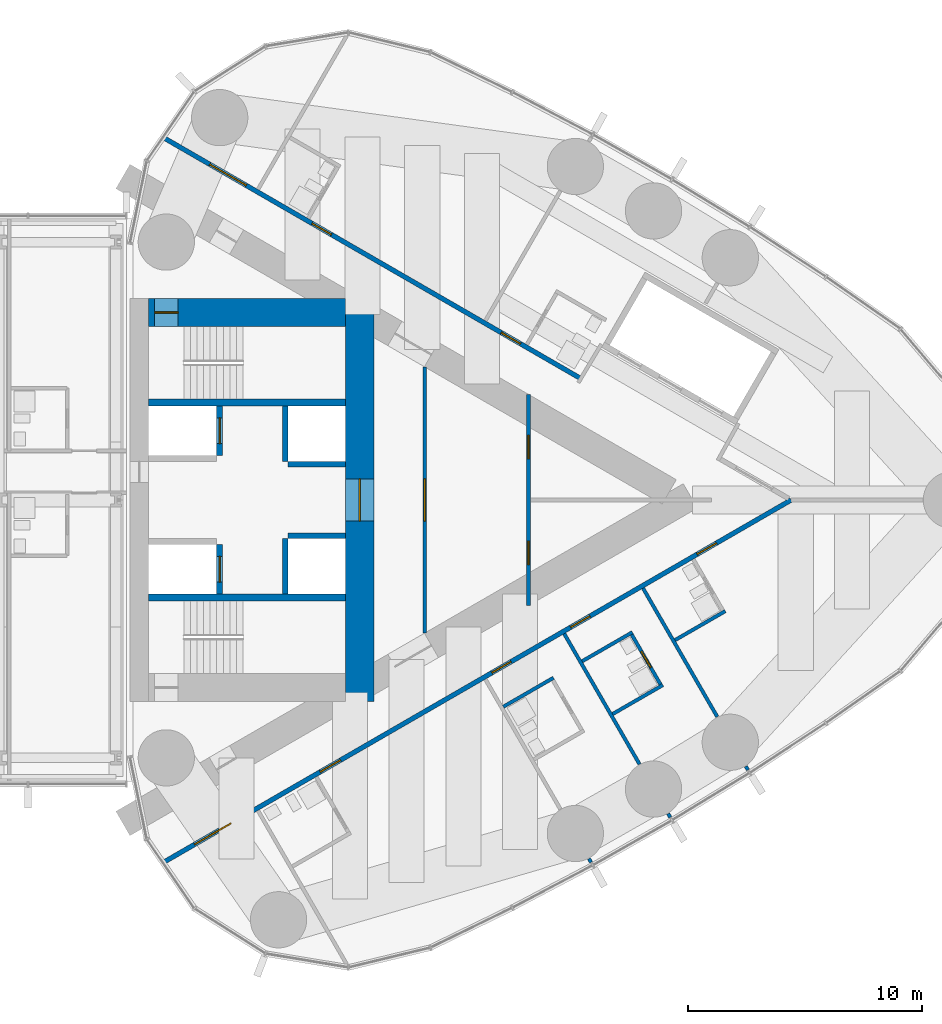
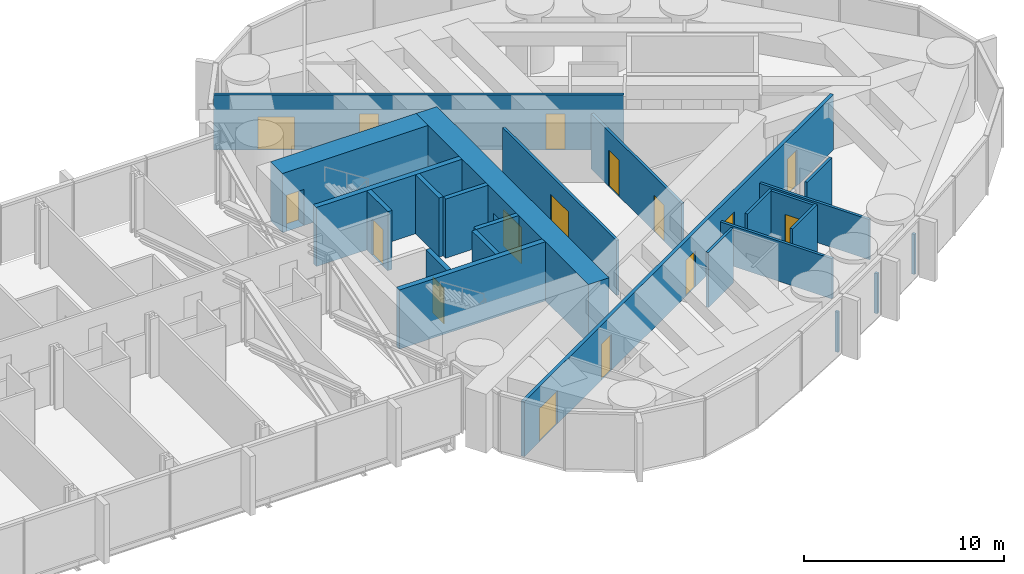
# One storey, part 19 of 23: 24 walls, 16 doors, 16 openings.
"""IFC4 building model written with IfcOpenShell, lengths in metres."""

import ifcopenshell
import ifcopenshell.guid

model = None  # the IFC model being written
_history = None  # IfcOwnerHistory: only IFC2X3 demands one
_inside = {}  # id of a spatial element -> (the spatial element, [elements in it])
_under = {}  # id of a project, library or spatial element -> (it, [spatial elements below it])
_declared = {}  # id of a project -> (the project, [libraries it declares])
_typed = {}  # id of a type object -> (the type object, [elements of that type])
_made_of = {}  # id of a material, layer set ... -> (it, [elements and type objects made of it])


def new_model(schema):
    """Start an empty IFC model of exactly this schema.

    Asked for "IFC4X3", IfcOpenShell would pick the latest addendum, in which some entities
    have other attributes; the version numbers below select the first issue.
    IFC2X3 requires an IfcOwnerHistory on every rooted entity: one is made here for all.
    """
    global model, _history
    if schema == "IFC4X3":
        model = ifcopenshell.file(schema_version=(4, 3, 0, 0))
    else:
        model = ifcopenshell.file(schema=schema)
    _inside.clear()
    _under.clear()
    _declared.clear()
    _typed.clear()
    _made_of.clear()
    _history = None
    if model.schema == "IFC2X3":
        org = make("IfcOrganization", Name="unknown")
        user = make(
            "IfcPersonAndOrganization",
            ThePerson=make("IfcPerson", FamilyName="unknown"),
            TheOrganization=org,
        )
        app = make(
            "IfcApplication",
            ApplicationDeveloper=org,
            Version="unknown",
            ApplicationFullName="unknown",
            ApplicationIdentifier="unknown",
        )
        _history = make(
            "IfcOwnerHistory",
            OwningUser=user,
            OwningApplication=app,
            ChangeAction="ADDED",
            CreationDate=0,
        )
    return model


def make(cls, **values):
    """One entity of the class cls with the attributes given. An attribute that is None is left unset."""
    return model.create_entity(
        cls, **{name: value for name, value in values.items() if value is not None}
    )


def rooted(cls, **values):
    """An entity with a GlobalId (a new one), such as an element, a storey or a relation."""
    return make(cls, GlobalId=ifcopenshell.guid.new(), OwnerHistory=_history, **values)


def si_unit(unit_type, name, prefix=None):
    """IfcSIUnit, for example si_unit("LENGTHUNIT", "METRE", prefix="MILLI")."""
    return make("IfcSIUnit", UnitType=unit_type, Prefix=prefix, Name=name)


def assignment(units):
    """IfcUnitAssignment: the units of a project."""
    return None if units is None else make("IfcUnitAssignment", Units=units)


def point(xyz):
    """IfcCartesianPoint."""
    return None if xyz is None else make("IfcCartesianPoint", Coordinates=xyz)


def direction(xyz):
    """IfcDirection."""
    return None if xyz is None else make("IfcDirection", DirectionRatios=xyz)


def frame(location, z_axis=None, x_axis=None):
    """IfcAxis2Placement3D, a coordinate frame: its origin and axes. An axis left out is left unset."""
    return make(
        "IfcAxis2Placement3D",
        Location=point(location),
        Axis=direction(z_axis),
        RefDirection=direction(x_axis),
    )


def frame_2d(location, x_axis=None):
    """IfcAxis2Placement2D, a coordinate frame in the plane: its origin and x axis."""
    return make(
        "IfcAxis2Placement2D", Location=point(location), RefDirection=direction(x_axis)
    )


def origin():
    """The frame at (0, 0, 0) with its axes left unset."""
    return frame((0.0, 0.0, 0.0))


def place(relative_to, where):
    """IfcLocalPlacement: puts the frame where relative to a parent placement (None: the world)."""
    return make(
        "IfcLocalPlacement", PlacementRelTo=relative_to, RelativePlacement=where
    )


def context(
    kind, dimensions, precision=None, world=None, true_north=None, identifier=None
):
    """IfcGeometricRepresentationContext, for example the 3D "Model" context."""
    return make(
        "IfcGeometricRepresentationContext",
        ContextIdentifier=identifier,
        ContextType=kind,
        CoordinateSpaceDimension=dimensions,
        Precision=precision,
        WorldCoordinateSystem=world,
        TrueNorth=true_north,
    )


def subcontext(parent, identifier, kind, view, scale=None):
    """IfcGeometricRepresentationSubContext, for example "Body" below "Model"."""
    return make(
        "IfcGeometricRepresentationSubContext",
        ContextIdentifier=identifier,
        ContextType=kind,
        ParentContext=parent,
        TargetScale=scale,
        TargetView=view,
    )


def project(units=None, contexts=None):
    """IfcProject with its units and contexts."""
    return rooted(
        "IfcProject",
        Name="project",
        RepresentationContexts=contexts,
        UnitsInContext=assignment(units),
    )


def spatial(cls, under=None, at=None, **own):
    """A site, building, storey or space (cls), placed at a placement, below another one or the project."""
    s = rooted(cls, ObjectPlacement=at, **own)
    if under is not None:
        _under.setdefault(under.id(), (under, []))[1].append(s)
    return s


def profile(cls, at=None, kind="AREA", **sizes):
    """A parametric profile (cls). Its sizes go by their IFC names, for example OverallWidth=200.0."""
    return make(cls, ProfileType=kind, Position=at, **sizes)


def rectangle(**sizes):
    """IfcRectangleProfileDef."""
    return profile("IfcRectangleProfileDef", **sizes)


def extrude(swept, where, along, depth):
    """IfcExtrudedAreaSolid: the profile swept, set in the frame where, extruded along a direction by depth."""
    return make(
        "IfcExtrudedAreaSolid",
        SweptArea=swept,
        Position=where,
        ExtrudedDirection=direction(along),
        Depth=depth,
    )


def shape(context_of_items, identifier, shape_type, items):
    """IfcShapeRepresentation: the items that make up one representation, for example the "Body"."""
    return make(
        "IfcShapeRepresentation",
        ContextOfItems=context_of_items,
        RepresentationIdentifier=identifier,
        RepresentationType=shape_type,
        Items=items,
    )


def material(Name=None, Category=None):
    """IfcMaterial."""
    return make("IfcMaterial", Name=Name, Category=Category)


def layer(
    of_material, thickness, ventilated=None, Name=None, Category=None, Priority=None
):
    """IfcMaterialLayer: one layer of a wall or slab, of a material (None: an air gap)."""
    return make(
        "IfcMaterialLayer",
        Material=of_material,
        LayerThickness=thickness,
        IsVentilated=ventilated,
        Name=Name,
        Category=Category,
        Priority=Priority,
    )


def layer_set(layers, Name=None):
    """IfcMaterialLayerSet."""
    return make("IfcMaterialLayerSet", MaterialLayers=layers, LayerSetName=Name)


def made_of(thing, what):
    """Note that an element or type object is made of a material, layer set ...; save() writes the relation."""
    if what is not None:
        _made_of.setdefault(what.id(), (what, []))[1].append(thing)
    return thing


def type_object(cls, material=None, **own):
    """A type object (cls), such as IfcWallType, which elements share."""
    return made_of(rooted(cls, **own), material)


def element(
    cls,
    number,
    at=None,
    inside=None,
    cuts=None,
    type_object=None,
    material=None,
    context=None,
    identifier="Body",
    shape_type=None,
    held_by="IfcProductDefinitionShape",
    body=None,
    shapes=None,
    **own,
):
    """One element of the class cls, such as IfcWall. Its Tag is "e" and its number.

    at: its placement. inside: the storey or other place that contains it. cuts: it is an
    opening in that element (IfcRelVoidsElement). A single representation is given by context,
    identifier, shape_type and body (its items); several are given by shapes. held_by: the class
    of the entity that holds the representations. save() writes the other relations.
    """
    e = rooted(cls, Tag="e%d" % number, ObjectPlacement=at, **own)
    if body is not None:
        shapes = [shape(context, identifier, shape_type, body)]
    if shapes is not None:
        e.Representation = make(held_by, Representations=shapes)
    if inside is not None:
        _inside.setdefault(inside.id(), (inside, []))[1].append(e)
    if cuts is not None:
        rooted(
            "IfcRelVoidsElement", RelatingBuildingElement=cuts, RelatedOpeningElement=e
        )
    if type_object is not None:
        _typed.setdefault(type_object.id(), (type_object, []))[1].append(e)
    return made_of(e, material)


def fill(opening, filler):
    """IfcRelFillsElement: the door or window that sits in an opening."""
    return rooted(
        "IfcRelFillsElement",
        RelatingOpeningElement=opening,
        RelatedBuildingElement=filler,
    )


def aggregate(whole, parts):
    """IfcRelAggregates: a whole, such as a stair, and the parts it consists of."""
    return rooted("IfcRelAggregates", RelatingObject=whole, RelatedObjects=parts)


def save(model, path):
    """Write the relations noted so far, then the file.

    IfcRelAggregates (storeys below a building ...), IfcRelContainedInSpatialStructure (elements
    in a storey), IfcRelDefinesByType, IfcRelAssociatesMaterial and IfcRelDeclares: one each for
    every whole, place, type object, material and project.
    """
    for whole, parts in _under.values():
        aggregate(whole, parts)
    for where, things in _inside.values():
        rooted(
            "IfcRelContainedInSpatialStructure",
            RelatedElements=things,
            RelatingStructure=where,
        )
    for kind, things in _typed.values():
        rooted("IfcRelDefinesByType", RelatedObjects=things, RelatingType=kind)
    for what, things in _made_of.values():
        rooted("IfcRelAssociatesMaterial", RelatedObjects=things, RelatingMaterial=what)
    for by, libraries in _declared.values():
        rooted("IfcRelDeclares", RelatingContext=by, RelatedDefinitions=libraries)
    model.write(path)


model = new_model("IFC4")

# Units and contexts
model_context = context("Model", 3, precision=1e-05, world=origin(), true_north=direction((0.0, 1.0)))
body_context = subcontext(model_context, "Body", "Model", "MODEL_VIEW")
ifc_project = project(units=[si_unit("LENGTHUNIT", "METRE"), si_unit("AREAUNIT", "SQUARE_METRE"), si_unit("VOLUMEUNIT", "CUBIC_METRE"), si_unit("PLANEANGLEUNIT", "RADIAN"), si_unit("MASSUNIT", "GRAM", prefix="KILO")], contexts=[model_context])

# Site, building, storey
site_placement = place(None, origin())
site = spatial("IfcSite", under=ifc_project, at=site_placement, CompositionType="ELEMENT")
building_placement = place(site_placement, origin())
building = spatial("IfcBuilding", under=site, at=building_placement, Name="Lancet Gate Hotel", CompositionType="ELEMENT")
storey_placement = place(building_placement, frame((0.0, 0.0, 222.5)))
storey = spatial("IfcBuildingStorey", under=building, at=storey_placement, Name="L59", CompositionType="ELEMENT", Elevation=222.5)

# Walls
ifc_material_1 = material(Name="Moisture resistant board partition")
ifc_layer_1 = layer(ifc_material_1, 0.14990234375)
ifc_layer_set_1 = layer_set([ifc_layer_1], Name="Bathroom wall 150")
wall_type_1 = type_object("IfcWallType", Name="Bathroom wall 150", PredefinedType="PARTITIONING", material=ifc_layer_set_1)
for number, where, z_axis, x_axis, name in (
    (1, (43.424560546875, -8.820556640625, 0.0), (0.0, 0.0, 1.0), (0.866006523861, 0.500032699561, 0.0), "T2 bathroom wall 150 L59"),
    (2, (48.087890625, -9.13037109375, 0.0), (0.0, 0.0, 1.0), (0.86604923931, 0.499958713387, 0.0), "T2 bathroom wall 150 L59"),
):
    element("IfcWall", number, at=place(storey_placement, frame(where, z_axis=z_axis, x_axis=x_axis)), inside=storey, type_object=wall_type_1, Name=name, PredefinedType="PARTITIONING", context=body_context, shape_type="SweptSolid", body=[
        extrude(rectangle(XDim=2.474853515625, YDim=0.14990234375, at=frame_2d((1.2373046875, 0.0))), origin(), (0.0, 0.0, 1.0), 3.35009765625),
    ])

# Wall, opening, door
wall_1_placement = place(storey_placement, frame((48.8662109375, -5.6787109375, 0.0), z_axis=(0.0, 0.0, 1.0), x_axis=(0.500006934395, -0.866021400173, 0.0)))
wall_1 = element("IfcWall", 3, at=wall_1_placement, inside=storey, type_object=wall_type_1, Name="T2 bathroom wall 150 L59", PredefinedType="PARTITIONING", context=body_context, shape_type="SweptSolid", body=[
    extrude(rectangle(XDim=2.60009765625, YDim=0.14990234375, at=frame_2d((1.300048828125, 0.0))), origin(), (0.0, 0.0, 1.0), 3.35009765625),
])
opening_1_placement = place(wall_1_placement, frame((0.89990234375, 0.0, 0.0)))
opening_1 = element("IfcOpeningElement", 4, at=opening_1_placement, cuts=wall_1, Name="Opening 5954-B", PredefinedType="OPENING", context=body_context, shape_type="SweptSolid", body=[
    extrude(rectangle(XDim=0.800048828125, YDim=2.199951171875, at=frame_2d((0.39990234375, 1.10009765625))), frame((0.0, 0.0849609375, 0.0), z_axis=(0.0, -1.0, 0.0), x_axis=(1.0, 0.0, 0.0)), (0.0, 0.0, 1.0), 0.169921875),
])
ifc_material_2 = material(Name="Timber door set", Category="wood")
door_type_1 = type_object("IfcDoorType", Name="Bathroom door 800", OperationType="SINGLE_SWING_RIGHT", PredefinedType="DOOR", material=ifc_material_2)
door_1_placement = place(opening_1_placement, origin())
door_1 = element("IfcDoor", 5, at=door_1_placement, inside=storey, type_object=door_type_1, Name="5954-B", OperationType="SINGLE_SWING_RIGHT", OverallHeight=2.199951171875, OverallWidth=0.800048828125, PredefinedType="DOOR", context=body_context, shape_type="SweptSolid", body=[
    extrude(rectangle(XDim=0.800048828125, YDim=2.199951171875, at=frame_2d((0.39990234375, 1.10009765625))), frame((0.0, 0.02490234375, 0.0), z_axis=(0.0, -1.0, 0.0), x_axis=(1.0, 0.0, 0.0)), (0.0, 0.0, 1.0), 0.050048828125),
])
fill(opening_1, door_1)

# Walls
wall_2_placement = place(storey_placement, frame((46.787841796875, -6.87890625, 0.0), z_axis=(0.0, 0.0, 1.0), x_axis=(0.866006523861, 0.500032699561, 0.0)))
element("IfcWall", 6, at=wall_2_placement, inside=storey, type_object=wall_type_1, Name="T2 bathroom wall 150 L59", PredefinedType="PARTITIONING", context=body_context, shape_type="SweptSolid", body=[
    extrude(rectangle(XDim=2.474853515625, YDim=0.14990234375, at=frame_2d((1.2373046875, 0.0))), origin(), (0.0, 0.0, 1.0), 3.35009765625),
])
wall_3_placement = place(storey_placement, frame((50.75, -5.976806640625, 0.0), z_axis=(0.0, 0.0, 1.0), x_axis=(0.866031185235, 0.4999899861, 0.0)))
element("IfcWall", 7, at=wall_3_placement, inside=storey, type_object=wall_type_1, Name="T2 bathroom wall 150 L59", PredefinedType="PARTITIONING", context=body_context, shape_type="SweptSolid", body=[
    extrude(rectangle(XDim=2.47509765625, YDim=0.14990234375, at=frame_2d((1.237548828125, 0.0))), origin(), (0.0, 0.0, 1.0), 3.35009765625),
])

# Wall, opening, door
ifc_material_3 = material(Name="Concrete C70/85", Category="concrete")
ifc_layer_2 = layer(ifc_material_3, 1.199951171875)
ifc_layer_set_2 = layer_set([ifc_layer_2], Name="Core wall 1200")
wall_type_2 = type_object("IfcWallType", Name="Core wall 1200", PredefinedType="SHEAR", material=ifc_layer_set_2)
wall_4_placement = place(storey_placement, frame((37.300048828125, -8.60009765625, 0.0), z_axis=(0.0, 0.0, 1.0), x_axis=(0.0, 1.0, 0.0)))
wall_4 = element("IfcWall", 8, at=wall_4_placement, inside=storey, type_object=wall_type_2, Name="T2 core wall back L59", PredefinedType="SHEAR", context=body_context, shape_type="SweptSolid", body=[
    extrude(rectangle(XDim=17.2001953125, YDim=1.199951171875, at=frame_2d((8.60009765625, 0.0))), origin(), (0.0, 0.0, 1.0), 3.60009765625),
])
opening_2_placement = place(wall_4_placement, frame((7.699951171875, 0.0, 0.0)))
opening_2 = element("IfcOpeningElement", 9, at=opening_2_placement, cuts=wall_4, Name="Opening T2-L59-LL", PredefinedType="OPENING", context=body_context, shape_type="SweptSolid", body=[
    extrude(rectangle(XDim=1.800048828125, YDim=2.199951171875, at=frame_2d((0.89990234375, 1.10009765625))), frame((0.0, 0.60986328125, 0.0), z_axis=(0.0, -1.0, 0.0), x_axis=(1.0, 0.0, 0.0)), (0.0, 0.0, 1.0), 1.219970703125),
])
ifc_material_4 = material(Name="Timber door set", Category="wood")
door_type_2 = type_object("IfcDoorType", Name="Lobby double door 1800", OperationType="DOUBLE_DOOR_SINGLE_SWING", PredefinedType="DOOR", material=ifc_material_4)
door_2_placement = place(opening_2_placement, origin())
door_2 = element("IfcDoor", 10, at=door_2_placement, inside=storey, type_object=door_type_2, Name="T2-L59-LL", OperationType="DOUBLE_DOOR_SINGLE_SWING", OverallHeight=2.199951171875, OverallWidth=1.800048828125, PredefinedType="DOOR", context=body_context, shape_type="SweptSolid", body=[
    extrude(rectangle(XDim=1.800048828125, YDim=2.199951171875, at=frame_2d((0.89990234375, 1.10009765625))), frame((0.0, 0.02490234375, 0.0), z_axis=(0.0, -1.0, 0.0), x_axis=(1.0, 0.0, 0.0)), (0.0, 0.0, 1.0), 0.050048828125),
])
fill(opening_2, door_2)

wall_5_placement = place(storey_placement, frame((28.300048828125, 8.0, 0.0), z_axis=(0.0, 0.0, 1.0), x_axis=(1.0, 0.0, 0.0)))
wall_5 = element("IfcWall", 11, at=wall_5_placement, inside=storey, type_object=wall_type_2, Name="T2 core wall side-N L59", PredefinedType="SHEAR", context=body_context, shape_type="SweptSolid", body=[
    extrude(rectangle(XDim=8.39990234375, YDim=1.199951171875, at=frame_2d((4.199951171875, 0.0))), origin(), (0.0, 0.0, 1.0), 3.60009765625),
])
opening_3_placement = place(wall_5_placement, frame((0.25, 0.0, 0.0)))
opening_3 = element("IfcOpeningElement", 12, at=opening_3_placement, cuts=wall_5, Name="Opening T2-L59-ST2", PredefinedType="OPENING", context=body_context, shape_type="SweptSolid", body=[
    extrude(rectangle(XDim=1.0, YDim=2.199951171875, at=frame_2d((0.5, 1.10009765625))), frame((0.0, 0.60986328125, 0.0), z_axis=(0.0, -1.0, 0.0), x_axis=(1.0, 0.0, 0.0)), (0.0, 0.0, 1.0), 1.219970703125),
])
ifc_material_5 = material(Name="Timber door set", Category="wood")
door_type_3 = type_object("IfcDoorType", Name="Stair door 1000", OperationType="SINGLE_SWING_RIGHT", PredefinedType="DOOR", material=ifc_material_5)
door_3_placement = place(opening_3_placement, origin())
door_3 = element("IfcDoor", 13, at=door_3_placement, inside=storey, type_object=door_type_3, Name="T2-L59-ST2", OperationType="SINGLE_SWING_RIGHT", OverallHeight=2.199951171875, OverallWidth=1.0, PredefinedType="DOOR", context=body_context, shape_type="SweptSolid", body=[
    extrude(rectangle(XDim=1.0, YDim=2.199951171875, at=frame_2d((0.5, 1.10009765625))), frame((0.0, 0.02490234375, 0.0), z_axis=(0.0, -1.0, 0.0), x_axis=(1.0, 0.0, 0.0)), (0.0, 0.0, 1.0), 0.050048828125),
])
fill(opening_3, door_3)

# Wall, openings, doors
ifc_material_6 = material(Name="Gypsum board partition")
ifc_layer_3 = layer(ifc_material_6, 0.199951171875)
ifc_layer_set_3 = layer_set([ifc_layer_3], Name="Corridor wall 200")
wall_type_3 = type_object("IfcWallType", Name="Corridor wall 200", PredefinedType="PARTITIONING", material=ifc_layer_set_3)
wall_6_placement = place(storey_placement, frame((28.958984375, -15.440185546875, 0.0), z_axis=(0.0, 0.0, 1.0), x_axis=(0.866025227435, 0.500000305447, 0.0)))
wall_6 = element("IfcWall", 14, at=wall_6_placement, inside=storey, type_object=wall_type_3, Name="T2 corridor wall 200 L59", PredefinedType="PARTITIONING", context=body_context, shape_type="SweptSolid", body=[
    extrude(rectangle(XDim=30.88037109375, YDim=0.199951171875, at=frame_2d((15.440185546875, 0.0))), origin(), (0.0, 0.0, 1.0), 3.35009765625),
])
opening_4_placement = place(wall_6_placement, frame((1.49365234375, 0.0, 0.0)))
opening_4 = element("IfcOpeningElement", 15, at=opening_4_placement, cuts=wall_6, Name="Opening 5951-E", PredefinedType="OPENING", context=body_context, shape_type="SweptSolid", body=[
    extrude(rectangle(XDim=1.800048828125, YDim=2.030029296875, at=frame_2d((0.89990234375, 1.01513671875))), frame((0.0, 0.10986328125, 0.0), z_axis=(0.0, -1.0, 0.0), x_axis=(1.0, 0.0, 0.0)), (0.0, 0.0, 1.0), 0.219970703125),
])
opening_5_placement = place(wall_6_placement, frame((7.687255859375, 0.0, 0.0)))
opening_5 = element("IfcOpeningElement", 16, at=opening_5_placement, cuts=wall_6, Name="Opening 5952-E", PredefinedType="OPENING", context=body_context, shape_type="SweptSolid", body=[
    extrude(rectangle(XDim=1.0, YDim=2.199951171875, at=frame_2d((0.5, 1.10009765625))), frame((0.0, 0.10986328125, 0.0), z_axis=(0.0, -1.0, 0.0), x_axis=(1.0, 0.0, 0.0)), (0.0, 0.0, 1.0), 0.219970703125),
])
opening_6_placement = place(wall_6_placement, frame((16.13720703125, 0.0, 0.0)))
opening_6 = element("IfcOpeningElement", 17, at=opening_6_placement, cuts=wall_6, Name="Opening 5953-E", PredefinedType="OPENING", context=body_context, shape_type="SweptSolid", body=[
    extrude(rectangle(XDim=0.949951171875, YDim=2.199951171875, at=frame_2d((0.47509765625, 1.10009765625))), frame((0.0, 0.10986328125, 0.0), z_axis=(0.0, -1.0, 0.0), x_axis=(1.0, 0.0, 0.0)), (0.0, 0.0, 1.0), 0.219970703125),
])
opening_7_placement = place(wall_6_placement, frame((20.020751953125, 0.0, 0.0)))
opening_7 = element("IfcOpeningElement", 18, at=opening_7_placement, cuts=wall_6, Name="Opening 5954-E", PredefinedType="OPENING", context=body_context, shape_type="SweptSolid", body=[
    extrude(rectangle(XDim=0.949951171875, YDim=2.199951171875, at=frame_2d((0.47509765625, 1.10009765625))), frame((0.0, 0.10986328125, 0.0), z_axis=(0.0, -1.0, 0.0), x_axis=(1.0, 0.0, 0.0)), (0.0, 0.0, 1.0), 0.219970703125),
])
opening_8_placement = place(wall_6_placement, frame((26.25341796875, 0.0, 0.0)))
opening_8 = element("IfcOpeningElement", 19, at=opening_8_placement, cuts=wall_6, Name="Opening 5955-E", PredefinedType="OPENING", context=body_context, shape_type="SweptSolid", body=[
    extrude(rectangle(XDim=0.949951171875, YDim=2.199951171875, at=frame_2d((0.47509765625, 1.10009765625))), frame((0.0, 0.10986328125, 0.0), z_axis=(0.0, -1.0, 0.0), x_axis=(1.0, 0.0, 0.0)), (0.0, 0.0, 1.0), 0.219970703125),
])
ifc_material_7 = material(Name="Timber door set", Category="wood")
door_type_4 = type_object("IfcDoorType", Name="Accessible guest room door 1000", OperationType="SINGLE_SWING_LEFT", PredefinedType="DOOR", material=ifc_material_7)
door_4_placement = place(opening_5_placement, origin())
door_4 = element("IfcDoor", 20, at=door_4_placement, inside=storey, type_object=door_type_4, Name="5952-E", OperationType="SINGLE_SWING_LEFT", OverallHeight=2.199951171875, OverallWidth=1.0, PredefinedType="DOOR", context=body_context, shape_type="SweptSolid", body=[
    extrude(rectangle(XDim=1.0, YDim=2.199951171875, at=frame_2d((0.5, 1.10009765625))), frame((0.0, 0.02490234375, 0.0), z_axis=(0.0, -1.0, 0.0), x_axis=(1.0, 0.0, 0.0)), (0.0, 0.0, 1.0), 0.050048828125),
])
fill(opening_5, door_4)
ifc_material_8 = material(Name="Timber door set", Category="wood")
door_type_5 = type_object("IfcDoorType", Name="Double door 1800, 2030 high", OperationType="DOUBLE_DOOR_SINGLE_SWING", PredefinedType="DOOR", material=ifc_material_8)
door_5_placement = place(opening_4_placement, origin())
door_5 = element("IfcDoor", 21, at=door_5_placement, inside=storey, type_object=door_type_5, Name="5951-E", OperationType="DOUBLE_DOOR_SINGLE_SWING", OverallHeight=2.030029296875, OverallWidth=1.800048828125, PredefinedType="DOOR", context=body_context, shape_type="SweptSolid", body=[
    extrude(rectangle(XDim=1.800048828125, YDim=2.030029296875, at=frame_2d((0.89990234375, 1.01513671875))), frame((0.0, 0.02490234375, 0.0), z_axis=(0.0, -1.0, 0.0), x_axis=(1.0, 0.0, 0.0)), (0.0, 0.0, 1.0), 0.050048828125),
])
fill(opening_4, door_5)
ifc_material_9 = material(Name="Timber door set", Category="wood")
door_type_6 = type_object("IfcDoorType", Name="Guest room entry door 950", OperationType="SINGLE_SWING_LEFT", PredefinedType="DOOR", material=ifc_material_9)
door_6_placement = place(opening_6_placement, origin())
door_6 = element("IfcDoor", 22, at=door_6_placement, inside=storey, type_object=door_type_6, Name="5953-E", OperationType="SINGLE_SWING_LEFT", OverallHeight=2.199951171875, OverallWidth=0.949951171875, PredefinedType="DOOR", context=body_context, shape_type="SweptSolid", body=[
    extrude(rectangle(XDim=0.949951171875, YDim=2.199951171875, at=frame_2d((0.47509765625, 1.10009765625))), frame((0.0, 0.02490234375, 0.0), z_axis=(0.0, -1.0, 0.0), x_axis=(1.0, 0.0, 0.0)), (0.0, 0.0, 1.0), 0.050048828125),
])
fill(opening_6, door_6)
door_7_placement = place(opening_7_placement, origin())
door_7 = element("IfcDoor", 23, at=door_7_placement, inside=storey, type_object=door_type_6, Name="5954-E", OperationType="SINGLE_SWING_LEFT", OverallHeight=2.199951171875, OverallWidth=0.949951171875, PredefinedType="DOOR", context=body_context, shape_type="SweptSolid", body=[
    extrude(rectangle(XDim=0.949951171875, YDim=2.199951171875, at=frame_2d((0.47509765625, 1.10009765625))), frame((0.0, 0.02490234375, 0.0), z_axis=(0.0, -1.0, 0.0), x_axis=(1.0, 0.0, 0.0)), (0.0, 0.0, 1.0), 0.050048828125),
])
fill(opening_7, door_7)
door_8_placement = place(opening_8_placement, origin())
door_8 = element("IfcDoor", 24, at=door_8_placement, inside=storey, type_object=door_type_6, Name="5955-E", OperationType="SINGLE_SWING_LEFT", OverallHeight=2.199951171875, OverallWidth=0.949951171875, PredefinedType="DOOR", context=body_context, shape_type="SweptSolid", body=[
    extrude(rectangle(XDim=0.949951171875, YDim=2.199951171875, at=frame_2d((0.47509765625, 1.10009765625))), frame((0.0, 0.02490234375, 0.0), z_axis=(0.0, -1.0, 0.0), x_axis=(1.0, 0.0, 0.0)), (0.0, 0.0, 1.0), 0.050048828125),
])
fill(opening_8, door_8)

wall_7_placement = place(storey_placement, frame((28.958984375, 15.440185546875, 0.0), z_axis=(0.0, 0.0, 1.0), x_axis=(0.866028936079, -0.499993881836, 0.0)))
wall_7 = element("IfcWall", 25, at=wall_7_placement, inside=storey, type_object=wall_type_3, Name="T2 corridor wall 200 L59", PredefinedType="PARTITIONING", context=body_context, shape_type="SweptSolid", body=[
    extrude(rectangle(XDim=20.503173828125, YDim=0.199951171875, at=frame_2d((10.25146484375, 0.0))), origin(), (0.0, 0.0, 1.0), 3.35009765625),
])
opening_9_placement = place(wall_7_placement, frame((16.60302734375, 0.0, 0.0)))
opening_9 = element("IfcOpeningElement", 26, at=opening_9_placement, cuts=wall_7, Name="Opening 5958-E", PredefinedType="OPENING", context=body_context, shape_type="SweptSolid", body=[
    extrude(rectangle(XDim=0.949951171875, YDim=2.199951171875, at=frame_2d((0.47509765625, 1.10009765625))), frame((0.0, 0.10986328125, 0.0), z_axis=(0.0, -1.0, 0.0), x_axis=(1.0, 0.0, 0.0)), (0.0, 0.0, 1.0), 0.219970703125),
])
opening_10_placement = place(wall_7_placement, frame((7.287109375, 0.0, 0.0)))
opening_10 = element("IfcOpeningElement", 27, at=opening_10_placement, cuts=wall_7, Name="Opening 5959-E", PredefinedType="OPENING", context=body_context, shape_type="SweptSolid", body=[
    extrude(rectangle(XDim=0.949951171875, YDim=2.199951171875, at=frame_2d((0.47509765625, 1.10009765625))), frame((0.0, 0.10986328125, 0.0), z_axis=(0.0, -1.0, 0.0), x_axis=(1.0, 0.0, 0.0)), (0.0, 0.0, 1.0), 0.219970703125),
])
opening_11_placement = place(wall_7_placement, frame((2.243896484375, 0.0, 0.0)))
opening_11 = element("IfcOpeningElement", 28, at=opening_11_placement, cuts=wall_7, Name="Opening 5960-E", PredefinedType="OPENING", context=body_context, shape_type="SweptSolid", body=[
    extrude(rectangle(XDim=1.800048828125, YDim=2.030029296875, at=frame_2d((0.89990234375, 1.01513671875))), frame((0.0, 0.10986328125, 0.0), z_axis=(0.0, -1.0, 0.0), x_axis=(1.0, 0.0, 0.0)), (0.0, 0.0, 1.0), 0.219970703125),
])
door_9_placement = place(opening_11_placement, origin())
door_9 = element("IfcDoor", 29, at=door_9_placement, inside=storey, type_object=door_type_5, Name="5960-E", OperationType="DOUBLE_DOOR_SINGLE_SWING", OverallHeight=2.030029296875, OverallWidth=1.800048828125, PredefinedType="DOOR", context=body_context, shape_type="SweptSolid", body=[
    extrude(rectangle(XDim=1.800048828125, YDim=2.030029296875, at=frame_2d((0.89990234375, 1.01513671875))), frame((0.0, 0.02490234375, 0.0), z_axis=(0.0, -1.0, 0.0), x_axis=(1.0, 0.0, 0.0)), (0.0, 0.0, 1.0), 0.050048828125),
])
fill(opening_11, door_9)
door_10_placement = place(opening_9_placement, origin())
door_10 = element("IfcDoor", 30, at=door_10_placement, inside=storey, type_object=door_type_6, Name="5958-E", OperationType="SINGLE_SWING_LEFT", OverallHeight=2.199951171875, OverallWidth=0.949951171875, PredefinedType="DOOR", context=body_context, shape_type="SweptSolid", body=[
    extrude(rectangle(XDim=0.949951171875, YDim=2.199951171875, at=frame_2d((0.47509765625, 1.10009765625))), frame((0.0, 0.02490234375, 0.0), z_axis=(0.0, -1.0, 0.0), x_axis=(1.0, 0.0, 0.0)), (0.0, 0.0, 1.0), 0.050048828125),
])
fill(opening_9, door_10)
door_11_placement = place(opening_10_placement, origin())
door_11 = element("IfcDoor", 31, at=door_11_placement, inside=storey, type_object=door_type_6, Name="5959-E", OperationType="SINGLE_SWING_LEFT", OverallHeight=2.199951171875, OverallWidth=0.949951171875, PredefinedType="DOOR", context=body_context, shape_type="SweptSolid", body=[
    extrude(rectangle(XDim=0.949951171875, YDim=2.199951171875, at=frame_2d((0.47509765625, 1.10009765625))), frame((0.0, 0.02490234375, 0.0), z_axis=(0.0, -1.0, 0.0), x_axis=(1.0, 0.0, 0.0)), (0.0, 0.0, 1.0), 0.050048828125),
])
fill(opening_10, door_11)

# Wall, opening, door
ifc_material_10 = material(Name="Concrete C50/60", Category="concrete")
ifc_layer_4 = layer(ifc_material_10, 0.25)
ifc_layer_set_4 = layer_set([ifc_layer_4], Name="Lift shaft wall 250")
wall_type_4 = type_object("IfcWallType", Name="Lift shaft wall 250", PredefinedType="SHEAR", material=ifc_layer_set_4)
wall_8_placement = place(storey_placement, frame((31.324951171875, -4.0, 0.0), z_axis=(0.0, 0.0, 1.0), x_axis=(0.0, 1.0, 0.0)))
wall_8 = element("IfcWall", 32, at=wall_8_placement, inside=storey, type_object=wall_type_4, Name="T2 core wall row1-S L59", PredefinedType="SHEAR", context=body_context, shape_type="SweptSolid", body=[
    extrude(rectangle(XDim=2.10009765625, YDim=0.25, at=frame_2d((1.050048828125, 0.0))), origin(), (0.0, 0.0, 1.0), 3.60009765625),
])
opening_12_placement = place(wall_8_placement, frame((0.5, 0.0, 0.0)))
opening_12 = element("IfcOpeningElement", 33, at=opening_12_placement, cuts=wall_8, Name="Opening T2-SL1-L59", PredefinedType="OPENING", context=body_context, shape_type="SweptSolid", body=[
    extrude(rectangle(XDim=1.10009765625, YDim=2.199951171875, at=frame_2d((0.550048828125, 1.10009765625))), frame((0.0, 0.135009765625, 0.0), z_axis=(0.0, -1.0, 0.0), x_axis=(1.0, 0.0, 0.0)), (0.0, 0.0, 1.0), 0.27001953125),
])
ifc_material_11 = material(Name="Timber door set", Category="wood")
door_type_7 = type_object("IfcDoorType", Name="Service lift landing door 1100", OperationType="SLIDING_TO_LEFT", PredefinedType="USERDEFINED", material=ifc_material_11)
door_12_placement = place(opening_12_placement, origin())
door_12 = element("IfcDoor", 34, at=door_12_placement, inside=storey, type_object=door_type_7, Name="T2-SL1-L59", ObjectType="LIFT LANDING DOOR", OperationType="SLIDING_TO_LEFT", OverallHeight=2.199951171875, OverallWidth=1.10009765625, PredefinedType="USERDEFINED", context=body_context, shape_type="SweptSolid", body=[
    extrude(rectangle(XDim=1.10009765625, YDim=2.199951171875, at=frame_2d((0.550048828125, 1.10009765625))), frame((0.0, 0.02490234375, 0.0), z_axis=(0.0, -1.0, 0.0), x_axis=(1.0, 0.0, 0.0)), (0.0, 0.0, 1.0), 0.050048828125),
])
fill(opening_12, door_12)

# Walls
wall_9_placement = place(storey_placement, frame((34.125, -4.0, 0.0), z_axis=(0.0, 0.0, 1.0), x_axis=(0.0, 1.0, 0.0)))
element("IfcWall", 35, at=wall_9_placement, inside=storey, type_object=wall_type_4, Name="T2 core wall row2-S L59", PredefinedType="SHEAR", context=body_context, shape_type="SweptSolid", body=[
    extrude(rectangle(XDim=2.35009765625, YDim=0.25, at=frame_2d((1.175048828125, 0.0))), origin(), (0.0, 0.0, 1.0), 3.60009765625),
])
wall_10_placement = place(storey_placement, frame((34.25, -1.52490234375, 0.0), z_axis=(0.0, 0.0, 1.0), x_axis=(1.0, 0.0, 0.0)))
element("IfcWall", 36, at=wall_10_placement, inside=storey, type_object=wall_type_4, Name="T2 core wall pass2-S L59", PredefinedType="SHEAR", context=body_context, shape_type="SweptSolid", body=[
    extrude(rectangle(XDim=2.449951171875, YDim=0.25, at=frame_2d((1.22509765625, 0.0))), origin(), (0.0, 0.0, 1.0), 3.60009765625),
])

# Wall, opening, door
wall_11_placement = place(storey_placement, frame((31.324951171875, 1.89990234375, 0.0), z_axis=(0.0, 0.0, 1.0), x_axis=(0.0, 1.0, 0.0)))
wall_11 = element("IfcWall", 37, at=wall_11_placement, inside=storey, type_object=wall_type_4, Name="T2 core wall row1-N L59", PredefinedType="SHEAR", context=body_context, shape_type="SweptSolid", body=[
    extrude(rectangle(XDim=2.10009765625, YDim=0.25, at=frame_2d((1.050048828125, 0.0))), origin(), (0.0, 0.0, 1.0), 3.60009765625),
])
opening_13_placement = place(wall_11_placement, frame((0.5, 0.0, 0.0)))
opening_13 = element("IfcOpeningElement", 38, at=opening_13_placement, cuts=wall_11, Name="Opening T2-FL2-L59", PredefinedType="OPENING", context=body_context, shape_type="SweptSolid", body=[
    extrude(rectangle(XDim=1.10009765625, YDim=2.199951171875, at=frame_2d((0.550048828125, 1.10009765625))), frame((0.0, 0.135009765625, 0.0), z_axis=(0.0, -1.0, 0.0), x_axis=(1.0, 0.0, 0.0)), (0.0, 0.0, 1.0), 0.27001953125),
])
ifc_material_12 = material(Name="Steel door set", Category="steel")
door_type_8 = type_object("IfcDoorType", Name="Firefighting lift landing door 1100", OperationType="SLIDING_TO_LEFT", PredefinedType="USERDEFINED", material=ifc_material_12)
door_13_placement = place(opening_13_placement, origin())
door_13 = element("IfcDoor", 39, at=door_13_placement, inside=storey, type_object=door_type_8, Name="T2-FL2-L59", ObjectType="LIFT LANDING DOOR", OperationType="SLIDING_TO_LEFT", OverallHeight=2.199951171875, OverallWidth=1.10009765625, PredefinedType="USERDEFINED", context=body_context, shape_type="SweptSolid", body=[
    extrude(rectangle(XDim=1.10009765625, YDim=2.199951171875, at=frame_2d((0.550048828125, 1.10009765625))), frame((0.0, 0.02490234375, 0.0), z_axis=(0.0, -1.0, 0.0), x_axis=(1.0, 0.0, 0.0)), (0.0, 0.0, 1.0), 0.050048828125),
])
fill(opening_13, door_13)

# Walls
wall_12_placement = place(storey_placement, frame((34.125, 1.64990234375, 0.0), z_axis=(0.0, 0.0, 1.0), x_axis=(0.0, 1.0, 0.0)))
element("IfcWall", 40, at=wall_12_placement, inside=storey, type_object=wall_type_4, Name="T2 core wall row2-N L59", PredefinedType="SHEAR", context=body_context, shape_type="SweptSolid", body=[
    extrude(rectangle(XDim=2.35009765625, YDim=0.25, at=frame_2d((1.175048828125, 0.0))), origin(), (0.0, 0.0, 1.0), 3.60009765625),
])
wall_13_placement = place(storey_placement, frame((34.25, 1.52490234375, 0.0), z_axis=(0.0, 0.0, 1.0), x_axis=(1.0, 0.0, 0.0)))
element("IfcWall", 41, at=wall_13_placement, inside=storey, type_object=wall_type_4, Name="T2 core wall pass2-N L59", PredefinedType="SHEAR", context=body_context, shape_type="SweptSolid", body=[
    extrude(rectangle(XDim=2.449951171875, YDim=0.25, at=frame_2d((1.22509765625, 0.0))), origin(), (0.0, 0.0, 1.0), 3.60009765625),
])
ifc_material_13 = material(Name="Gypsum board partition")
ifc_layer_5 = layer(ifc_material_13, 0.14990234375)
ifc_layer_set_5 = layer_set([ifc_layer_5], Name="Party wall 150")
wall_type_5 = type_object("IfcWallType", Name="Party wall 150", PredefinedType="PARTITIONING", material=ifc_layer_set_5)
wall_14_placement = place(storey_placement, frame((47.078857421875, -15.2998046875, 0.0), z_axis=(0.0, 0.0, 1.0), x_axis=(0.499212083968, -0.866479829667, 0.0)))
element("IfcWall", 42, at=wall_14_placement, inside=storey, type_object=wall_type_5, Name="T2 party wall 150 L59", PredefinedType="PARTITIONING", context=body_context, shape_type="SweptSolid", body=[
    extrude(rectangle(XDim=0.179443359375, YDim=0.14990234375, at=frame_2d((0.08984375, 0.0))), origin(), (0.0, 0.0, 1.0), 2.449951171875),
])
wall_15_placement = place(storey_placement, frame((46.02294921875, -5.703857421875, 0.0), z_axis=(0.0, 0.0, 1.0), x_axis=(0.499984478165, -0.866034365135, 0.0)))
element("IfcWall", 43, at=wall_15_placement, inside=storey, type_object=wall_type_5, Name="T2 party wall 150 L59", PredefinedType="PARTITIONING", context=body_context, shape_type="SweptSolid", body=[
    extrude(rectangle(XDim=6.425537109375, YDim=0.14990234375, at=frame_2d((3.212890625, 0.0))), origin(), (0.0, 0.0, 1.0), 2.449951171875),
])
wall_16_placement = place(storey_placement, frame((50.45556640625, -13.381591796875, 0.0), z_axis=(0.0, 0.0, 1.0), x_axis=(0.500661834965, -0.865642955848, 0.0)))
element("IfcWall", 44, at=wall_16_placement, inside=storey, type_object=wall_type_5, Name="T2 party wall 150 L59", PredefinedType="PARTITIONING", context=body_context, shape_type="SweptSolid", body=[
    extrude(rectangle(XDim=0.179931640625, YDim=0.14990234375, at=frame_2d((0.08984375, 0.0))), origin(), (0.0, 0.0, 1.0), 2.449951171875),
])
wall_17_placement = place(storey_placement, frame((49.38525390625, -3.7626953125, 0.0), z_axis=(0.0, 0.0, 1.0), x_axis=(0.499999447814, -0.866025722589, 0.0)))
element("IfcWall", 45, at=wall_17_placement, inside=storey, type_object=wall_type_5, Name="T2 party wall 150 L59", PredefinedType="PARTITIONING", context=body_context, shape_type="SweptSolid", body=[
    extrude(rectangle(XDim=6.33251953125, YDim=0.14990234375, at=frame_2d((3.166259765625, 0.0))), origin(), (0.0, 0.0, 1.0), 2.449951171875),
])
wall_18_placement = place(storey_placement, frame((53.771484375, -11.35986328125, 0.0), z_axis=(0.0, 0.0, 1.0), x_axis=(0.499524978789, -0.866299483762, 0.0)))
element("IfcWall", 46, at=wall_18_placement, inside=storey, type_object=wall_type_5, Name="T2 party wall 150 L59", PredefinedType="PARTITIONING", context=body_context, shape_type="SweptSolid", body=[
    extrude(rectangle(XDim=0.178466796875, YDim=0.14990234375, at=frame_2d((0.08935546875, 0.0))), origin(), (0.0, 0.0, 1.0), 2.449951171875),
])

# Wall, opening, door
ifc_material_14 = material(Name="Gypsum board partition")
ifc_layer_6 = layer(ifc_material_14, 0.14990234375)
ifc_layer_set_6 = layer_set([ifc_layer_6], Name="Service room wall 150")
wall_type_6 = type_object("IfcWallType", Name="Service room wall 150", PredefinedType="PARTITIONING", material=ifc_layer_set_6)
wall_19_placement = place(storey_placement, frame((40.074951171875, -5.673828125, 0.0), z_axis=(0.0, 0.0, 1.0), x_axis=(0.0, 1.0, 0.0)))
wall_19 = element("IfcWall", 47, at=wall_19_placement, inside=storey, type_object=wall_type_6, Name="T2 service room wall 150 L59", PredefinedType="PARTITIONING", context=body_context, shape_type="SweptSolid", body=[
    extrude(rectangle(XDim=11.34765625, YDim=0.14990234375, at=frame_2d((5.673828125, 0.0))), origin(), (0.0, 0.0, 1.0), 3.35009765625),
])
opening_14_placement = place(wall_19_placement, frame((4.773681640625, 0.0, 0.0)))
opening_14 = element("IfcOpeningElement", 48, at=opening_14_placement, cuts=wall_19, Name="Opening T2-L59-LH", PredefinedType="OPENING", context=body_context, shape_type="SweptSolid", body=[
    extrude(rectangle(XDim=1.800048828125, YDim=2.199951171875, at=frame_2d((0.89990234375, 1.10009765625))), frame((0.0, 0.0849609375, 0.0), z_axis=(0.0, -1.0, 0.0), x_axis=(1.0, 0.0, 0.0)), (0.0, 0.0, 1.0), 0.169921875),
])
door_14_placement = place(opening_14_placement, origin())
door_14 = element("IfcDoor", 49, at=door_14_placement, inside=storey, type_object=door_type_2, Name="T2-L59-LH", OperationType="DOUBLE_DOOR_SINGLE_SWING", OverallHeight=2.199951171875, OverallWidth=1.800048828125, PredefinedType="DOOR", context=body_context, shape_type="SweptSolid", body=[
    extrude(rectangle(XDim=1.800048828125, YDim=2.199951171875, at=frame_2d((0.89990234375, 1.10009765625))), frame((0.0, 0.02490234375, 0.0), z_axis=(0.0, -1.0, 0.0), x_axis=(1.0, 0.0, 0.0)), (0.0, 0.0, 1.0), 0.050048828125),
])
fill(opening_14, door_14)

# Wall, openings, doors
wall_20_placement = place(storey_placement, frame((44.5, -4.504638671875, 0.0), z_axis=(0.0, 0.0, 1.0), x_axis=(0.0, 1.0, 0.0)))
wall_20 = element("IfcWall", 50, at=wall_20_placement, inside=storey, type_object=wall_type_6, Name="T2 service room wall 150 L59", PredefinedType="PARTITIONING", context=body_context, shape_type="SweptSolid", body=[
    extrude(rectangle(XDim=9.00927734375, YDim=0.14990234375, at=frame_2d((4.504638671875, 0.0))), origin(), (0.0, 0.0, 1.0), 3.35009765625),
])
opening_15_placement = place(wall_20_placement, frame((1.752197265625, 0.0, 0.0)))
opening_15 = element("IfcOpeningElement", 51, at=opening_15_placement, cuts=wall_20, Name="Opening T2-L59-SV", PredefinedType="OPENING", context=body_context, shape_type="SweptSolid", body=[
    extrude(rectangle(XDim=1.0, YDim=2.199951171875, at=frame_2d((0.5, 1.10009765625))), frame((0.0, 0.0849609375, 0.0), z_axis=(0.0, -1.0, 0.0), x_axis=(1.0, 0.0, 0.0)), (0.0, 0.0, 1.0), 0.169921875),
])
opening_16_placement = place(wall_20_placement, frame((6.2568359375, 0.0, 0.0)))
opening_16 = element("IfcOpeningElement", 52, at=opening_16_placement, cuts=wall_20, Name="Opening T2-L59-SV2", PredefinedType="OPENING", context=body_context, shape_type="SweptSolid", body=[
    extrude(rectangle(XDim=1.0, YDim=2.199951171875, at=frame_2d((0.5, 1.10009765625))), frame((0.0, 0.0849609375, 0.0), z_axis=(0.0, -1.0, 0.0), x_axis=(1.0, 0.0, 0.0)), (0.0, 0.0, 1.0), 0.169921875),
])
ifc_material_15 = material(Name="Timber door set", Category="wood")
door_type_9 = type_object("IfcDoorType", Name="Service door 1000", OperationType="SINGLE_SWING_LEFT", PredefinedType="DOOR", material=ifc_material_15)
door_15_placement = place(opening_15_placement, origin())
door_15 = element("IfcDoor", 53, at=door_15_placement, inside=storey, type_object=door_type_9, Name="T2-L59-SV", OperationType="SINGLE_SWING_LEFT", OverallHeight=2.199951171875, OverallWidth=1.0, PredefinedType="DOOR", context=body_context, shape_type="SweptSolid", body=[
    extrude(rectangle(XDim=1.0, YDim=2.199951171875, at=frame_2d((0.5, 1.10009765625))), frame((0.0, 0.02490234375, 0.0), z_axis=(0.0, -1.0, 0.0), x_axis=(1.0, 0.0, 0.0)), (0.0, 0.0, 1.0), 0.050048828125),
])
fill(opening_15, door_15)
door_16_placement = place(opening_16_placement, origin())
door_16 = element("IfcDoor", 54, at=door_16_placement, inside=storey, type_object=door_type_9, Name="T2-L59-SV2", OperationType="SINGLE_SWING_LEFT", OverallHeight=2.199951171875, OverallWidth=1.0, PredefinedType="DOOR", context=body_context, shape_type="SweptSolid", body=[
    extrude(rectangle(XDim=1.0, YDim=2.199951171875, at=frame_2d((0.5, 1.10009765625))), frame((0.0, 0.02490234375, 0.0), z_axis=(0.0, -1.0, 0.0), x_axis=(1.0, 0.0, 0.0)), (0.0, 0.0, 1.0), 0.050048828125),
])
fill(opening_16, door_16)

# Walls
ifc_material_16 = material(Name="Concrete C50/60", Category="concrete")
ifc_layer_7 = layer(ifc_material_16, 0.300048828125)
ifc_layer_set_7 = layer_set([ifc_layer_7], Name="Stair enclosure wall 300")
wall_type_7 = type_object("IfcWallType", Name="Stair enclosure wall 300", PredefinedType="SHEAR", material=ifc_layer_set_7)
for number, where, z_axis, x_axis, name in (
    (55, (28.300048828125, -4.14990234375, 0.0), (0.0, 0.0, 1.0), (1.0, 0.0, 0.0), "T2 core wall stair-S L59"),
    (56, (28.300048828125, 4.14990234375, 0.0), (0.0, 0.0, 1.0), (1.0, 0.0, 0.0), "T2 core wall stair-N L59"),
):
    element("IfcWall", number, at=place(storey_placement, frame(where, z_axis=z_axis, x_axis=x_axis)), inside=storey, type_object=wall_type_7, Name=name, PredefinedType="SHEAR", context=body_context, shape_type="SweptSolid", body=[
        extrude(rectangle(XDim=8.39990234375, YDim=0.300048828125, at=frame_2d((4.199951171875, 0.0))), origin(), (0.0, 0.0, 1.0), 3.60009765625),
    ])

save(model, "model.ifc")
